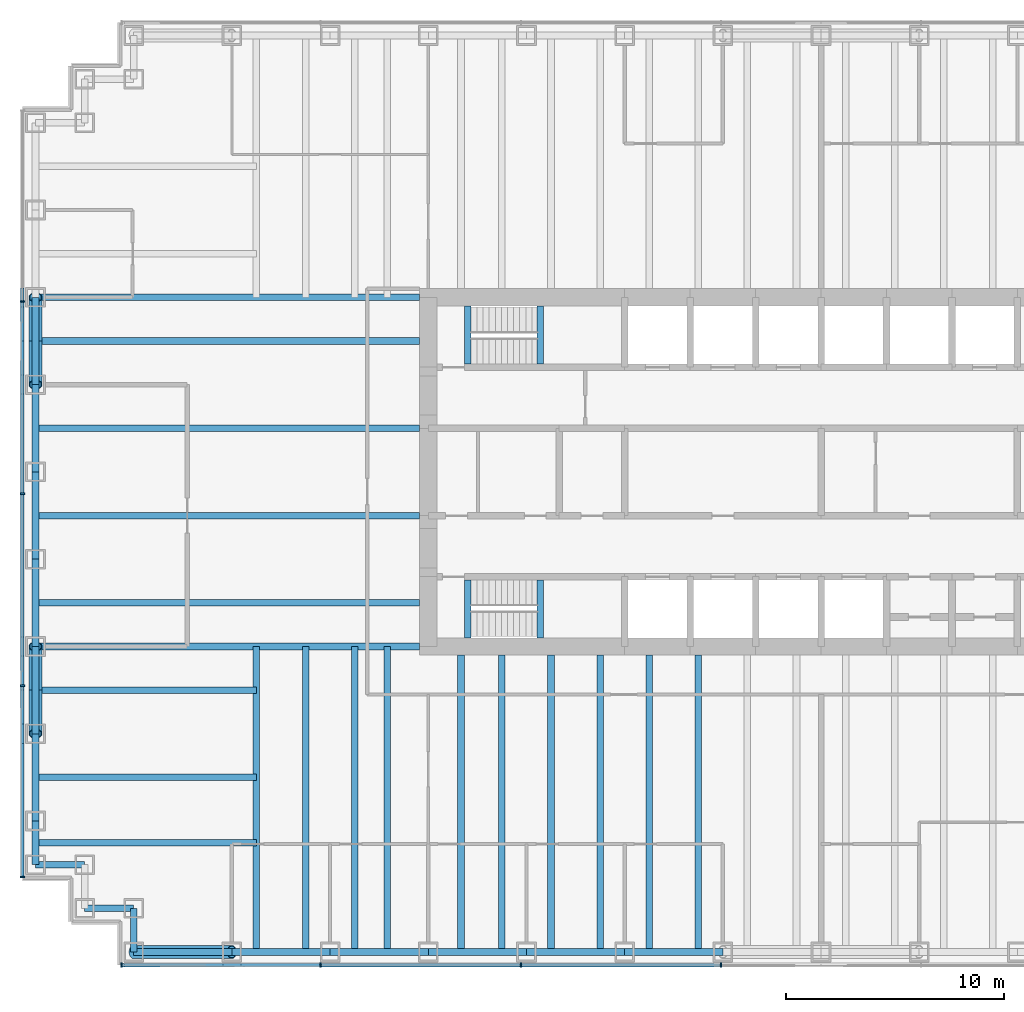
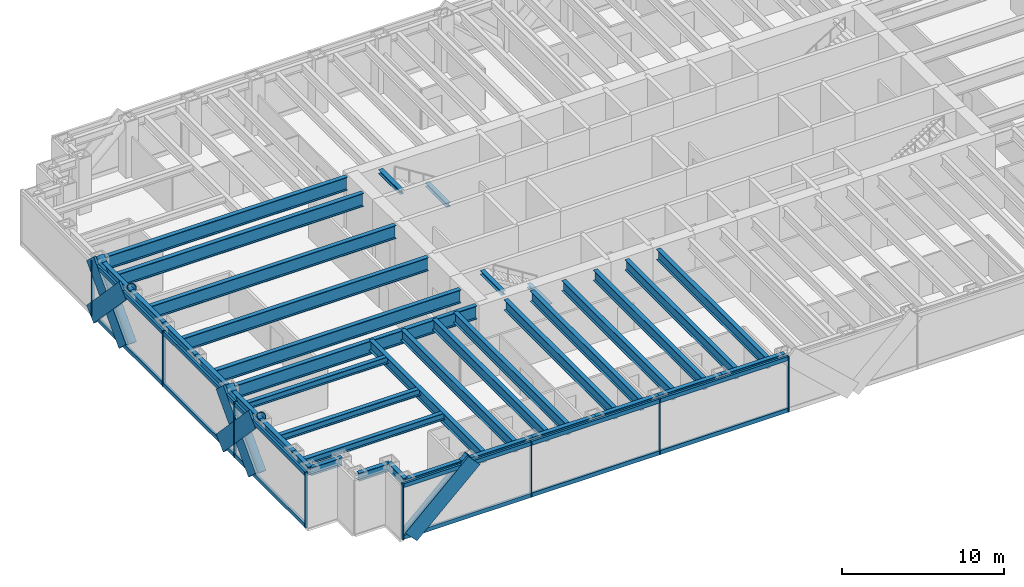
# One storey, part 2 of 18: 39 beams, 30 members, 2 elements without a shape of their own.
"""IFC4 building model written with IfcOpenShell, lengths in metres."""

from ifc_helpers import new_model, si_unit, direction, frame, origin, origin_2d, place, context, subcontext, project, spatial, rectangle, hollow_circle, i_section, extrude, material, material_profile, profile_set, type_object, element, aggregate, save


model = new_model("IFC4")

# Units and contexts
model_context = context("Model", 3, precision=1e-05, world=origin(), true_north=direction((0.0, 1.0)))
body_context = subcontext(model_context, "Body", "Model", "MODEL_VIEW")
ifc_project = project(units=[si_unit("LENGTHUNIT", "METRE"), si_unit("AREAUNIT", "SQUARE_METRE"), si_unit("VOLUMEUNIT", "CUBIC_METRE"), si_unit("PLANEANGLEUNIT", "RADIAN"), si_unit("MASSUNIT", "GRAM", prefix="KILO")], contexts=[model_context])

# Site, building, storey
site_placement = place(None, origin())
site = spatial("IfcSite", under=ifc_project, at=site_placement, CompositionType="ELEMENT")
building_placement = place(site_placement, origin())
building = spatial("IfcBuilding", under=site, at=building_placement, Name="Rheinbord Bourse Tower", CompositionType="ELEMENT")
storey_placement = place(building_placement, frame((0.0, 0.0, 244.60009765625)))
storey = spatial("IfcBuildingStorey", under=building, at=storey_placement, Name="L55", CompositionType="ELEMENT", Elevation=244.60009765625)

# Curtain wall, member
ifc_material_1 = material(Name="Dark glass and black aluminium", Category="aluminium")
curtain_wall_type = type_object("IfcCurtainWallType", Name="CW2 DARK GLASS CURTAIN WALL", PredefinedType="USERDEFINED", material=ifc_material_1)
curtain_wall_1_placement = place(storey_placement, origin())
curtain_wall_1 = element("IfcCurtainWall", 1, at=curtain_wall_1_placement, inside=storey, type_object=curtain_wall_type, Name="Curtain wall CW2 S L55", ObjectType="UNITISED CURTAIN WALL", PredefinedType="USERDEFINED")
ifc_material_2 = material(Name="Black anodised aluminium", Category="aluminium")
ifc_material_profile_1 = material_profile(ifc_material_2, rectangle(XDim=0.159912109375, YDim=1.2099609375, at=origin_2d()), Name="CW2 DIAGONAL MULLION 1210x160")
ifc_profile_set_1 = profile_set([ifc_material_profile_1], Name="Black anodised aluminium")
member_type_1 = type_object("IfcMemberType", Name="CW2 BLACK DIAGONAL MULLION", PredefinedType="USERDEFINED", material=ifc_profile_set_1)
member_1_placement = place(storey_placement, frame((4.5, 1.39990234375, 0.0), z_axis=(0.73105922506, 0.0, 0.682314010889), x_axis=(0.0, 1.0, 0.0)))
member_1 = element("IfcMember", 2, at=member_1_placement, type_object=member_type_1, Name="CW2 diagonal mullion a", ObjectType="DIAGONAL MULLION", PredefinedType="USERDEFINED", context=body_context, shape_type="SweptSolid", body=[
    extrude(rectangle(XDim=0.159912109375, YDim=1.2099609375, at=origin_2d()), origin(), (0.0, 0.0, 1.0), 6.155517578125),
])

# Curtain wall, members
curtain_wall_2_placement = place(storey_placement, origin())
curtain_wall_2 = element("IfcCurtainWall", 3, at=curtain_wall_2_placement, inside=storey, type_object=curtain_wall_type, Name="Curtain wall CW2 W L55", ObjectType="UNITISED CURTAIN WALL", PredefinedType="USERDEFINED")
member_2_placement = place(storey_placement, frame((-0.60009765625, 12.0, 0.0), z_axis=(0.0, 0.689659376744, 0.724133926887), x_axis=(-1.0, 0.0, 0.0)))
member_2 = element("IfcMember", 4, at=member_2_placement, type_object=member_type_1, Name="CW2 diagonal mullion a", ObjectType="DIAGONAL MULLION", PredefinedType="USERDEFINED", context=body_context, shape_type="SweptSolid", body=[
    extrude(rectangle(XDim=0.159912109375, YDim=1.2099609375, at=origin_2d()), origin(), (0.0, 0.0, 1.0), 5.800048828125),
])
member_3_placement = place(storey_placement, frame((-0.60009765625, 32.0, 0.0), z_axis=(0.0, -0.689659376744, 0.724133926887), x_axis=(1.0, 0.0, 0.0)))
member_3 = element("IfcMember", 5, at=member_3_placement, type_object=member_type_1, Name="CW2 diagonal mullion b", ObjectType="DIAGONAL MULLION", PredefinedType="USERDEFINED", context=body_context, shape_type="SweptSolid", body=[
    extrude(rectangle(XDim=0.159912109375, YDim=1.2099609375, at=origin_2d()), origin(), (0.0, 0.0, 1.0), 5.800048828125),
])
member_4_placement = place(storey_placement, frame((-0.60009765625, 28.0, 0.0), z_axis=(0.0, 0.689659376744, 0.724133926887), x_axis=(-1.0, 0.0, 0.0)))
member_4 = element("IfcMember", 6, at=member_4_placement, type_object=member_type_1, Name="CW2 diagonal mullion c", ObjectType="DIAGONAL MULLION", PredefinedType="USERDEFINED", context=body_context, shape_type="SweptSolid", body=[
    extrude(rectangle(XDim=0.159912109375, YDim=1.2099609375, at=origin_2d()), origin(), (0.0, 0.0, 1.0), 5.800048828125),
])
member_5_placement = place(storey_placement, frame((-0.60009765625, 16.0, 0.0), z_axis=(0.0, -0.689659376744, 0.724133926887), x_axis=(1.0, 0.0, 0.0)))
member_5 = element("IfcMember", 7, at=member_5_placement, type_object=member_type_1, Name="CW2 diagonal mullion d", ObjectType="DIAGONAL MULLION", PredefinedType="USERDEFINED", context=body_context, shape_type="SweptSolid", body=[
    extrude(rectangle(XDim=0.159912109375, YDim=1.2099609375, at=origin_2d()), origin(), (0.0, 0.0, 1.0), 5.800048828125),
])

# Member
ifc_material_3 = material(Name="Black anodised aluminium", Category="aluminium")
ifc_material_profile_2 = material_profile(ifc_material_3, rectangle(XDim=0.219970703125, YDim=0.070068359375, at=origin_2d()), Name="CW2 MULLION 70x220")
ifc_profile_set_2 = profile_set([ifc_material_profile_2], Name="Black anodised aluminium")
member_type_2 = type_object("IfcMemberType", Name="CW2 BLACK MULLION", PredefinedType="MULLION", material=ifc_profile_set_2)
member_6_placement = place(storey_placement, frame((3.93505859375, 1.39990234375, 0.0), z_axis=(0.0, 0.0, 1.0), x_axis=(0.0, 1.0, 0.0)))
member_6 = element("IfcMember", 8, at=member_6_placement, type_object=member_type_2, Name="CW2 mullion 1", PredefinedType="MULLION", context=body_context, shape_type="SweptSolid", body=[
    extrude(rectangle(XDim=0.219970703125, YDim=0.070068359375, at=origin_2d()), origin(), (0.0, 0.0, 1.0), 4.199951171875),
])

member_7_placement = place(storey_placement, frame((13.071533203125, 1.39990234375, 0.0), z_axis=(0.0, 0.0, 1.0), x_axis=(0.0, 1.0, 0.0)))
member_7 = element("IfcMember", 9, at=member_7_placement, type_object=member_type_2, Name="CW2 mullion 2", PredefinedType="MULLION", context=body_context, shape_type="SweptSolid", body=[
    extrude(rectangle(XDim=0.219970703125, YDim=0.070068359375, at=origin_2d()), origin(), (0.0, 0.0, 1.0), 4.199951171875),
])

member_8_placement = place(storey_placement, frame((22.242919921875, 1.39990234375, 0.0), z_axis=(0.0, 0.0, 1.0), x_axis=(0.0, 1.0, 0.0)))
member_8 = element("IfcMember", 10, at=member_8_placement, type_object=member_type_2, Name="CW2 mullion 3", PredefinedType="MULLION", context=body_context, shape_type="SweptSolid", body=[
    extrude(rectangle(XDim=0.219970703125, YDim=0.070068359375, at=origin_2d()), origin(), (0.0, 0.0, 1.0), 4.199951171875),
])

member_9_placement = place(storey_placement, frame((31.414306640625, 1.39990234375, 0.0), z_axis=(0.0, 0.0, 1.0), x_axis=(0.0, 1.0, 0.0)))
member_9 = element("IfcMember", 11, at=member_9_placement, type_object=member_type_2, Name="CW2 mullion 4", PredefinedType="MULLION", context=body_context, shape_type="SweptSolid", body=[
    extrude(rectangle(XDim=0.219970703125, YDim=0.070068359375, at=origin_2d()), origin(), (0.0, 0.0, 1.0), 4.199951171875),
])

member_10_placement = place(storey_placement, frame((-0.60009765625, 31.800048828125, 0.0), z_axis=(0.0, 0.0, 1.0), x_axis=(1.0, 0.0, 0.0)))
member_10 = element("IfcMember", 12, at=member_10_placement, type_object=member_type_2, Name="CW2 mullion 2", PredefinedType="MULLION", context=body_context, shape_type="SweptSolid", body=[
    extrude(rectangle(XDim=0.219970703125, YDim=0.070068359375, at=origin_2d()), origin(), (0.0, 0.0, 1.0), 4.199951171875),
])

member_11_placement = place(storey_placement, frame((-0.60009765625, 23.0, 0.0), z_axis=(0.0, 0.0, 1.0), x_axis=(1.0, 0.0, 0.0)))
member_11 = element("IfcMember", 13, at=member_11_placement, type_object=member_type_2, Name="CW2 mullion 3", PredefinedType="MULLION", context=body_context, shape_type="SweptSolid", body=[
    extrude(rectangle(XDim=0.219970703125, YDim=0.070068359375, at=origin_2d()), origin(), (0.0, 0.0, 1.0), 4.199951171875),
])

member_12_placement = place(storey_placement, frame((-0.60009765625, 14.199951171875, 0.0), z_axis=(0.0, 0.0, 1.0), x_axis=(1.0, 0.0, 0.0)))
member_12 = element("IfcMember", 14, at=member_12_placement, type_object=member_type_2, Name="CW2 mullion 4", PredefinedType="MULLION", context=body_context, shape_type="SweptSolid", body=[
    extrude(rectangle(XDim=0.219970703125, YDim=0.070068359375, at=origin_2d()), origin(), (0.0, 0.0, 1.0), 4.199951171875),
])

member_13_placement = place(storey_placement, frame((-0.60009765625, 5.43505859375, 0.0), z_axis=(0.0, 0.0, 1.0), x_axis=(1.0, 0.0, 0.0)))
member_13 = element("IfcMember", 15, at=member_13_placement, type_object=member_type_2, Name="CW2 mullion 5", PredefinedType="MULLION", context=body_context, shape_type="SweptSolid", body=[
    extrude(rectangle(XDim=0.219970703125, YDim=0.070068359375, at=origin_2d()), origin(), (0.0, 0.0, 1.0), 4.199951171875),
])

ifc_material_4 = material(Name="Black anodised aluminium", Category="aluminium")
ifc_material_profile_3 = material_profile(ifc_material_4, rectangle(XDim=0.159912109375, YDim=0.300048828125, at=origin_2d()), Name="CW2 TRANSOM 300x160")
ifc_profile_set_3 = profile_set([ifc_material_profile_3], Name="Black anodised aluminium")
member_type_3 = type_object("IfcMemberType", Name="CW2 BLACK TRANSOM", PredefinedType="USERDEFINED", material=ifc_profile_set_3)
member_14_placement = place(storey_placement, frame((3.969970703125, 1.39990234375, 0.14990234375), z_axis=(1.0, 0.0, 0.0), x_axis=(0.0, 1.0, 0.0)))
member_14 = element("IfcMember", 16, at=member_14_placement, type_object=member_type_3, Name="CW2 transom 1.1", ObjectType="TRANSOM", PredefinedType="USERDEFINED", context=body_context, shape_type="SweptSolid", body=[
    extrude(rectangle(XDim=0.159912109375, YDim=0.300048828125, at=origin_2d()), origin(), (0.0, 0.0, 1.0), 9.06640625),
])

member_15_placement = place(storey_placement, frame((3.969970703125, 1.39990234375, 4.0498046875), z_axis=(1.0, 0.0, 0.0), x_axis=(0.0, 1.0, 0.0)))
member_15 = element("IfcMember", 17, at=member_15_placement, type_object=member_type_3, Name="CW2 transom 1.2", ObjectType="TRANSOM", PredefinedType="USERDEFINED", context=body_context, shape_type="SweptSolid", body=[
    extrude(rectangle(XDim=0.159912109375, YDim=0.300048828125, at=origin_2d()), origin(), (0.0, 0.0, 1.0), 9.06640625),
])

member_16_placement = place(storey_placement, frame((13.1064453125, 1.39990234375, 0.14990234375), z_axis=(1.0, 0.0, 0.0), x_axis=(0.0, 1.0, 0.0)))
member_16 = element("IfcMember", 18, at=member_16_placement, type_object=member_type_3, Name="CW2 transom 2.1", ObjectType="TRANSOM", PredefinedType="USERDEFINED", context=body_context, shape_type="SweptSolid", body=[
    extrude(rectangle(XDim=0.159912109375, YDim=0.300048828125, at=origin_2d()), origin(), (0.0, 0.0, 1.0), 9.101318359375),
])

member_17_placement = place(storey_placement, frame((13.1064453125, 1.39990234375, 4.0498046875), z_axis=(1.0, 0.0, 0.0), x_axis=(0.0, 1.0, 0.0)))
member_17 = element("IfcMember", 19, at=member_17_placement, type_object=member_type_3, Name="CW2 transom 2.2", ObjectType="TRANSOM", PredefinedType="USERDEFINED", context=body_context, shape_type="SweptSolid", body=[
    extrude(rectangle(XDim=0.159912109375, YDim=0.300048828125, at=origin_2d()), origin(), (0.0, 0.0, 1.0), 9.101318359375),
])

member_18_placement = place(storey_placement, frame((22.27783203125, 1.39990234375, 0.14990234375), z_axis=(1.0, 0.0, 0.0), x_axis=(0.0, 1.0, 0.0)))
member_18 = element("IfcMember", 20, at=member_18_placement, type_object=member_type_3, Name="CW2 transom 3.1", ObjectType="TRANSOM", PredefinedType="USERDEFINED", context=body_context, shape_type="SweptSolid", body=[
    extrude(rectangle(XDim=0.159912109375, YDim=0.300048828125, at=origin_2d()), origin(), (0.0, 0.0, 1.0), 9.1015625),
])

member_19_placement = place(storey_placement, frame((22.27783203125, 1.39990234375, 4.0498046875), z_axis=(1.0, 0.0, 0.0), x_axis=(0.0, 1.0, 0.0)))
member_19 = element("IfcMember", 21, at=member_19_placement, type_object=member_type_3, Name="CW2 transom 3.2", ObjectType="TRANSOM", PredefinedType="USERDEFINED", context=body_context, shape_type="SweptSolid", body=[
    extrude(rectangle(XDim=0.159912109375, YDim=0.300048828125, at=origin_2d()), origin(), (0.0, 0.0, 1.0), 9.1015625),
])

aggregate(curtain_wall_1, [member_6, member_7, member_8, member_9, member_14, member_15, member_16, member_17, member_18, member_19, member_1])

member_20_placement = place(storey_placement, frame((-0.60009765625, 31.764892578125, 0.14990234375), z_axis=(0.0, -1.0, 0.0), x_axis=(1.0, 0.0, 0.0)))
member_20 = element("IfcMember", 22, at=member_20_placement, type_object=member_type_3, Name="CW2 transom 2.1", ObjectType="TRANSOM", PredefinedType="USERDEFINED", context=body_context, shape_type="SweptSolid", body=[
    extrude(rectangle(XDim=0.159912109375, YDim=0.300048828125, at=origin_2d()), origin(), (0.0, 0.0, 1.0), 8.72998046875),
])

member_21_placement = place(storey_placement, frame((-0.60009765625, 31.764892578125, 4.0498046875), z_axis=(0.0, -1.0, 0.0), x_axis=(1.0, 0.0, 0.0)))
member_21 = element("IfcMember", 23, at=member_21_placement, type_object=member_type_3, Name="CW2 transom 2.2", ObjectType="TRANSOM", PredefinedType="USERDEFINED", context=body_context, shape_type="SweptSolid", body=[
    extrude(rectangle(XDim=0.159912109375, YDim=0.300048828125, at=origin_2d()), origin(), (0.0, 0.0, 1.0), 8.72998046875),
])

member_22_placement = place(storey_placement, frame((-0.60009765625, 22.965087890625, 0.14990234375), z_axis=(0.0, -1.0, 0.0), x_axis=(1.0, 0.0, 0.0)))
member_22 = element("IfcMember", 24, at=member_22_placement, type_object=member_type_3, Name="CW2 transom 3.1", ObjectType="TRANSOM", PredefinedType="USERDEFINED", context=body_context, shape_type="SweptSolid", body=[
    extrude(rectangle(XDim=0.159912109375, YDim=0.300048828125, at=origin_2d()), origin(), (0.0, 0.0, 1.0), 8.72998046875),
])

member_23_placement = place(storey_placement, frame((-0.60009765625, 22.965087890625, 4.0498046875), z_axis=(0.0, -1.0, 0.0), x_axis=(1.0, 0.0, 0.0)))
member_23 = element("IfcMember", 25, at=member_23_placement, type_object=member_type_3, Name="CW2 transom 3.2", ObjectType="TRANSOM", PredefinedType="USERDEFINED", context=body_context, shape_type="SweptSolid", body=[
    extrude(rectangle(XDim=0.159912109375, YDim=0.300048828125, at=origin_2d()), origin(), (0.0, 0.0, 1.0), 8.72998046875),
])

member_24_placement = place(storey_placement, frame((-0.60009765625, 14.1650390625, 0.14990234375), z_axis=(0.0, -1.0, 0.0), x_axis=(1.0, 0.0, 0.0)))
member_24 = element("IfcMember", 26, at=member_24_placement, type_object=member_type_3, Name="CW2 transom 4.1", ObjectType="TRANSOM", PredefinedType="USERDEFINED", context=body_context, shape_type="SweptSolid", body=[
    extrude(rectangle(XDim=0.159912109375, YDim=0.300048828125, at=origin_2d()), origin(), (0.0, 0.0, 1.0), 8.695068359375),
])

member_25_placement = place(storey_placement, frame((-0.60009765625, 14.1650390625, 4.0498046875), z_axis=(0.0, -1.0, 0.0), x_axis=(1.0, 0.0, 0.0)))
member_25 = element("IfcMember", 27, at=member_25_placement, type_object=member_type_3, Name="CW2 transom 4.2", ObjectType="TRANSOM", PredefinedType="USERDEFINED", context=body_context, shape_type="SweptSolid", body=[
    extrude(rectangle(XDim=0.159912109375, YDim=0.300048828125, at=origin_2d()), origin(), (0.0, 0.0, 1.0), 8.695068359375),
])

aggregate(curtain_wall_2, [member_10, member_11, member_12, member_13, member_20, member_21, member_22, member_23, member_24, member_25, member_2, member_3, member_4, member_5])

# Beams
ifc_material_5 = material(Name="Steel S460", Category="steel")
ifc_material_profile_4 = material_profile(ifc_material_5, i_section(OverallWidth=0.302001953125, OverallDepth=1.008056640625, WebThickness=0.02099609375, FlangeThickness=0.0400390625, at=origin_2d()), Name="HEM 1000")
ifc_profile_set_4 = profile_set([ifc_material_profile_4], Name="Steel S460")
beam_type_1 = type_object("IfcBeamType", Name="END BEAM HEM 1000", PredefinedType="BEAM", material=ifc_profile_set_4)
for number, where, z_axis, x_axis, name in (
    (28, (0.0, 18.0, 3.535888671875), (1.0, 0.0, 0.0), (0.0, 1.0, 0.0), "End beam west 18 L56"),
    (29, (0.0, 22.0, 3.535888671875), (1.0, 0.0, 0.0), (0.0, 1.0, 0.0), "End beam west 22 L56"),
    (30, (0.0, 26.0, 3.535888671875), (1.0, 0.0, 0.0), (0.0, 1.0, 0.0), "End beam west 26 L56"),
    (31, (0.0, 30.0, 3.535888671875), (1.0, 0.0, 0.0), (0.0, 1.0, 0.0), "End beam west 30 L56"),
):
    element("IfcBeam", number, at=place(storey_placement, frame(where, z_axis=z_axis, x_axis=x_axis)), inside=storey, type_object=beam_type_1, Name=name, PredefinedType="BEAM", context=body_context, shape_type="SweptSolid", body=[
        extrude(i_section(OverallWidth=0.302001953125, OverallDepth=1.008056640625, WebThickness=0.02099609375, FlangeThickness=0.0400390625, at=origin_2d()), origin(), (0.0, 0.0, 1.0), 17.60009765625),
    ])
ifc_material_6 = material(Name="Steel S460", Category="steel")
ifc_material_profile_5 = material_profile(ifc_material_6, i_section(OverallWidth=0.300048828125, OverallDepth=0.800048828125, WebThickness=0.017578125, FlangeThickness=0.032958984375, at=origin_2d()), Name="HEB 800")
ifc_profile_set_5 = profile_set([ifc_material_profile_5], Name="Steel S460")
beam_type_2 = type_object("IfcBeamType", Name="FLOOR BEAM HEB 800", PredefinedType="BEAM", material=ifc_profile_set_5)
for number, where, z_axis, x_axis, name in (
    (32, (10.125, 2.0, 3.639892578125), (0.0, 1.0, 0.0), (-1.0, 0.0, 0.0), "Floor beam S-9a L56"),
    (33, (12.375, 2.0, 3.639892578125), (0.0, 1.0, 0.0), (-1.0, 0.0, 0.0), "Floor beam S-9b L56"),
    (34, (14.625, 2.0, 3.639892578125), (0.0, 1.0, 0.0), (-1.0, 0.0, 0.0), "Floor beam S-13.5a L56"),
    (35, (16.125, 2.0, 3.639892578125), (0.0, 1.0, 0.0), (-1.0, 0.0, 0.0), "Floor beam S-13.5b L56"),
):
    element("IfcBeam", number, at=place(storey_placement, frame(where, z_axis=z_axis, x_axis=x_axis)), inside=storey, type_object=beam_type_2, Name=name, PredefinedType="BEAM", context=body_context, shape_type="SweptSolid", body=[
        extrude(i_section(OverallWidth=0.300048828125, OverallDepth=0.800048828125, WebThickness=0.017578125, FlangeThickness=0.032958984375, at=origin_2d()), origin(), (0.0, 0.0, 1.0), 14.0),
    ])
for number, where, z_axis, x_axis, name in (
    (36, (19.5, 2.0, 3.639892578125), (0.0, 1.0, 0.0), (-1.0, 0.0, 0.0), "Floor beam S-18a L56"),
    (37, (21.375, 2.0, 3.639892578125), (0.0, 1.0, 0.0), (-1.0, 0.0, 0.0), "Floor beam S-18b L56"),
    (38, (23.625, 2.0, 3.639892578125), (0.0, 1.0, 0.0), (-1.0, 0.0, 0.0), "Floor beam S-22.5a L56"),
    (39, (25.875, 2.0, 3.639892578125), (0.0, 1.0, 0.0), (-1.0, 0.0, 0.0), "Floor beam S-22.5b L56"),
    (40, (28.125, 2.0, 3.639892578125), (0.0, 1.0, 0.0), (-1.0, 0.0, 0.0), "Floor beam S-27a L56"),
    (41, (30.375, 2.0, 3.639892578125), (0.0, 1.0, 0.0), (-1.0, 0.0, 0.0), "Floor beam S-27b L56"),
):
    element("IfcBeam", number, at=place(storey_placement, frame(where, z_axis=z_axis, x_axis=x_axis)), inside=storey, type_object=beam_type_2, Name=name, PredefinedType="BEAM", context=body_context, shape_type="SweptSolid", body=[
        extrude(i_section(OverallWidth=0.300048828125, OverallDepth=0.800048828125, WebThickness=0.017578125, FlangeThickness=0.032958984375, at=origin_2d()), origin(), (0.0, 0.0, 1.0), 13.60009765625),
    ])
ifc_material_7 = material(Name="Steel S460", Category="steel")
ifc_material_profile_6 = material_profile(ifc_material_7, i_section(OverallWidth=0.302001953125, OverallDepth=1.008056640625, WebThickness=0.02099609375, FlangeThickness=0.0400390625, at=origin_2d()), Name="HEM 1000")
ifc_profile_set_6 = profile_set([ifc_material_profile_6], Name="Steel S460")
beam_type_3 = type_object("IfcBeamType", Name="GIRDER HEM 1000", PredefinedType="BEAM", material=ifc_profile_set_6)
for number, where, z_axis, x_axis, name in (
    (42, (0.0, 16.0, 3.535888671875), (1.0, 0.0, 0.0), (0.0, 1.0, 0.0), "Girder west 16 L56"),
    (43, (0.0, 32.0, 3.535888671875), (1.0, 0.0, 0.0), (0.0, 1.0, 0.0), "Girder west 32 L56"),
):
    element("IfcBeam", number, at=place(storey_placement, frame(where, z_axis=z_axis, x_axis=x_axis)), inside=storey, type_object=beam_type_3, Name=name, PredefinedType="BEAM", context=body_context, shape_type="SweptSolid", body=[
        extrude(i_section(OverallWidth=0.302001953125, OverallDepth=1.008056640625, WebThickness=0.02099609375, FlangeThickness=0.0400390625, at=origin_2d()), origin(), (0.0, 0.0, 1.0), 17.60009765625),
    ])
ifc_material_8 = material(Name="Steel S460", Category="steel")
ifc_material_profile_7 = material_profile(ifc_material_8, i_section(OverallWidth=0.300048828125, OverallDepth=0.300048828125, WebThickness=0.010986328125, FlangeThickness=0.01904296875, at=origin_2d()), Name="HEB 300")
ifc_profile_set_7 = profile_set([ifc_material_profile_7], Name="Steel S460")
beam_type_4 = type_object("IfcBeamType", Name="LANDING TRIMMER HEB 300", PredefinedType="BEAM", material=ifc_profile_set_7)
for number, where, z_axis, x_axis, name in (
    (44, (23.1298828125, 16.39990234375, 1.75), (0.0, 1.0, 0.0), (-1.0, 0.0, 0.0), "Landing trimmer ST1 L55"),
    (45, (19.800048828125, 16.39990234375, 3.889892578125), (0.0, 1.0, 0.0), (-1.0, 0.0, 0.0), "Well trimmer ST1 under L56"),
    (46, (23.1298828125, 28.949951171875, 1.75), (0.0, 1.0, 0.0), (-1.0, 0.0, 0.0), "Landing trimmer ST2 L55"),
    (47, (19.800048828125, 28.949951171875, 3.889892578125), (0.0, 1.0, 0.0), (-1.0, 0.0, 0.0), "Well trimmer ST2 under L56"),
):
    element("IfcBeam", number, at=place(storey_placement, frame(where, z_axis=z_axis, x_axis=x_axis)), inside=storey, type_object=beam_type_4, Name=name, PredefinedType="BEAM", context=body_context, shape_type="SweptSolid", body=[
        extrude(i_section(OverallWidth=0.300048828125, OverallDepth=0.300048828125, WebThickness=0.010986328125, FlangeThickness=0.01904296875, at=origin_2d()), origin(), (0.0, 0.0, 1.0), 2.650146484375),
    ])

# Members
ifc_material_9 = material(Name="Steel S460", Category="steel")
ifc_material_profile_8 = material_profile(ifc_material_9, hollow_circle(Radius=0.304931640625, WallThickness=0.0400390625, at=origin_2d()), Name="CHS 610x40")
ifc_profile_set_8 = profile_set([ifc_material_profile_8], Name="Steel S460")
member_type_4 = type_object("IfcMemberType", Name="MEGABRACE CHS 610x40", PredefinedType="BRACE", material=ifc_profile_set_8)
member_26_placement = place(storey_placement, frame((4.5, 2.0, 0.0), z_axis=(0.73105922506, 0.0, 0.682314010889), x_axis=(0.0, 1.0, 0.0)))
element("IfcMember", 48, at=member_26_placement, inside=storey, type_object=member_type_4, Name="Megabrace S face line a L55", PredefinedType="BRACE", context=body_context, shape_type="SweptSolid", body=[
    extrude(hollow_circle(Radius=0.304931640625, WallThickness=0.0400390625, at=origin_2d()), origin(), (0.0, 0.0, 1.0), 6.155517578125),
])
for number, where, z_axis, x_axis, name in (
    (49, (0.0, 12.0, 0.0), (0.0, 0.689659376744, 0.724133926887), (-1.0, 0.0, 0.0), "Megabrace W face line a L55"),
    (50, (0.0, 32.0, 0.0), (0.0, -0.689659376744, 0.724133926887), (1.0, 0.0, 0.0), "Megabrace W face line b L55"),
    (51, (0.0, 28.0, 0.0), (0.0, 0.689659376744, 0.724133926887), (-1.0, 0.0, 0.0), "Megabrace W face line c L55"),
    (52, (0.0, 16.0, 0.0), (0.0, -0.689659376744, 0.724133926887), (1.0, 0.0, 0.0), "Megabrace W face line d L55"),
):
    element("IfcMember", number, at=place(storey_placement, frame(where, z_axis=z_axis, x_axis=x_axis)), inside=storey, type_object=member_type_4, Name=name, PredefinedType="BRACE", context=body_context, shape_type="SweptSolid", body=[
        extrude(hollow_circle(Radius=0.304931640625, WallThickness=0.0400390625, at=origin_2d()), origin(), (0.0, 0.0, 1.0), 5.800048828125),
    ])

# Beams
ifc_material_10 = material(Name="Steel S460", Category="steel")
ifc_material_profile_9 = material_profile(ifc_material_10, i_section(OverallWidth=0.300048828125, OverallDepth=0.60009765625, WebThickness=0.015380859375, FlangeThickness=0.030029296875, at=origin_2d()), Name="HEB 600")
ifc_profile_set_9 = profile_set([ifc_material_profile_9], Name="Steel S460")
beam_type_5 = type_object("IfcBeamType", Name="SPANDREL HEB 600", PredefinedType="SPANDREL", material=ifc_profile_set_9)
for number, where, z_axis, x_axis, name in (
    (53, (4.5, 2.0, 3.739990234375), (1.0, 0.0, 0.0), (0.0, 1.0, 0.0), "Spandrel SW-E-S-9 under L56"),
    (54, (9.0, 2.0, 3.739990234375), (1.0, 0.0, 0.0), (0.0, 1.0, 0.0), "Spandrel S-9-S-13.5 under L56"),
    (55, (13.5, 2.0, 3.739990234375), (1.0, 0.0, 0.0), (0.0, 1.0, 0.0), "Spandrel S-13.5-S-18 under L56"),
    (56, (18.0, 2.0, 3.739990234375), (1.0, 0.0, 0.0), (0.0, 1.0, 0.0), "Spandrel S-18-S-22.5 under L56"),
    (57, (22.5, 2.0, 3.739990234375), (1.0, 0.0, 0.0), (0.0, 1.0, 0.0), "Spandrel S-22.5-S-27 under L56"),
    (58, (27.0, 2.0, 3.739990234375), (1.0, 0.0, 0.0), (0.0, 1.0, 0.0), "Spandrel S-27-S-31.5 under L56"),
):
    element("IfcBeam", number, at=place(storey_placement, frame(where, z_axis=z_axis, x_axis=x_axis)), inside=storey, type_object=beam_type_5, Name=name, PredefinedType="SPANDREL", context=body_context, shape_type="SweptSolid", body=[
        extrude(i_section(OverallWidth=0.300048828125, OverallDepth=0.60009765625, WebThickness=0.015380859375, FlangeThickness=0.030029296875, at=origin_2d()), origin(), (0.0, 0.0, 1.0), 4.5),
    ])
for number, where, z_axis, x_axis, name in (
    (59, (0.0, 32.0, 3.739990234375), (0.0, -1.0, 0.0), (1.0, 0.0, 0.0), "Spandrel W-32-W-28 under L56"),
    (60, (0.0, 28.0, 3.739990234375), (0.0, -1.0, 0.0), (1.0, 0.0, 0.0), "Spandrel W-28-W-24 under L56"),
    (61, (0.0, 24.0, 3.739990234375), (0.0, -1.0, 0.0), (1.0, 0.0, 0.0), "Spandrel W-24-W-20 under L56"),
    (62, (0.0, 20.0, 3.739990234375), (0.0, -1.0, 0.0), (1.0, 0.0, 0.0), "Spandrel W-20-W-16 under L56"),
    (63, (0.0, 16.0, 3.739990234375), (0.0, -1.0, 0.0), (1.0, 0.0, 0.0), "Spandrel W-16-W-12 under L56"),
    (64, (0.0, 12.0, 3.739990234375), (0.0, -1.0, 0.0), (1.0, 0.0, 0.0), "Spandrel W-12-W-8 under L56"),
):
    element("IfcBeam", number, at=place(storey_placement, frame(where, z_axis=z_axis, x_axis=x_axis)), inside=storey, type_object=beam_type_5, Name=name, PredefinedType="SPANDREL", context=body_context, shape_type="SweptSolid", body=[
        extrude(i_section(OverallWidth=0.300048828125, OverallDepth=0.60009765625, WebThickness=0.015380859375, FlangeThickness=0.030029296875, at=origin_2d()), origin(), (0.0, 0.0, 1.0), 4.0),
    ])
beam_1_placement = place(storey_placement, frame((0.0, 8.0, 3.739990234375), z_axis=(0.0, -1.0, 0.0), x_axis=(1.0, 0.0, 0.0)))
element("IfcBeam", 65, at=beam_1_placement, inside=storey, type_object=beam_type_5, Name="Spandrel W-8-SW-A under L56", PredefinedType="SPANDREL", context=body_context, shape_type="SweptSolid", body=[
    extrude(i_section(OverallWidth=0.300048828125, OverallDepth=0.60009765625, WebThickness=0.015380859375, FlangeThickness=0.030029296875, at=origin_2d()), origin(), (0.0, 0.0, 1.0), 2.0),
])
for number, where, z_axis, x_axis, name in (
    (66, (0.0, 6.0, 3.739990234375), (1.0, 0.0, 0.0), (0.0, 1.0, 0.0), "Spandrel SW-A-SW-B under L56"),
    (67, (2.25, 4.0, 3.739990234375), (1.0, 0.0, 0.0), (0.0, 1.0, 0.0), "Spandrel SW-C-SW-D under L56"),
):
    element("IfcBeam", number, at=place(storey_placement, frame(where, z_axis=z_axis, x_axis=x_axis)), inside=storey, type_object=beam_type_5, Name=name, PredefinedType="SPANDREL", context=body_context, shape_type="SweptSolid", body=[
        extrude(i_section(OverallWidth=0.300048828125, OverallDepth=0.60009765625, WebThickness=0.015380859375, FlangeThickness=0.030029296875, at=origin_2d()), origin(), (0.0, 0.0, 1.0), 2.25),
    ])
beam_2_placement = place(storey_placement, frame((4.5, 4.0, 3.739990234375), z_axis=(0.0, -1.0, 0.0), x_axis=(1.0, 0.0, 0.0)))
element("IfcBeam", 68, at=beam_2_placement, inside=storey, type_object=beam_type_5, Name="Spandrel SW-D-SW-E under L56", PredefinedType="SPANDREL", context=body_context, shape_type="SweptSolid", body=[
    extrude(i_section(OverallWidth=0.300048828125, OverallDepth=0.60009765625, WebThickness=0.015380859375, FlangeThickness=0.030029296875, at=origin_2d()), origin(), (0.0, 0.0, 1.0), 2.0),
])
ifc_material_11 = material(Name="Steel S460", Category="steel")
ifc_material_profile_10 = material_profile(ifc_material_11, i_section(OverallWidth=0.300048828125, OverallDepth=0.5, WebThickness=0.014404296875, FlangeThickness=0.028076171875, at=origin_2d()), Name="HEB 500")
ifc_profile_set_10 = profile_set([ifc_material_profile_10], Name="Steel S460")
beam_type_6 = type_object("IfcBeamType", Name="TIE BEAM HEB 500", PredefinedType="JOIST", material=ifc_profile_set_10)
for number, where, z_axis, x_axis, name in (
    (69, (0.0, 7.0, 3.789794921875), (1.0, 0.0, 0.0), (0.0, 1.0, 0.0), "Tie west 7 L56"),
    (70, (0.0, 10.0, 3.789794921875), (1.0, 0.0, 0.0), (0.0, 1.0, 0.0), "Tie west 10 L56"),
    (71, (0.0, 14.0, 3.789794921875), (1.0, 0.0, 0.0), (0.0, 1.0, 0.0), "Tie west 14 L56"),
):
    element("IfcBeam", number, at=place(storey_placement, frame(where, z_axis=z_axis, x_axis=x_axis)), inside=storey, type_object=beam_type_6, Name=name, PredefinedType="JOIST", context=body_context, shape_type="SweptSolid", body=[
        extrude(i_section(OverallWidth=0.300048828125, OverallDepth=0.5, WebThickness=0.014404296875, FlangeThickness=0.028076171875, at=origin_2d()), origin(), (0.0, 0.0, 1.0), 10.125),
    ])

save(model, "model.ifc")
